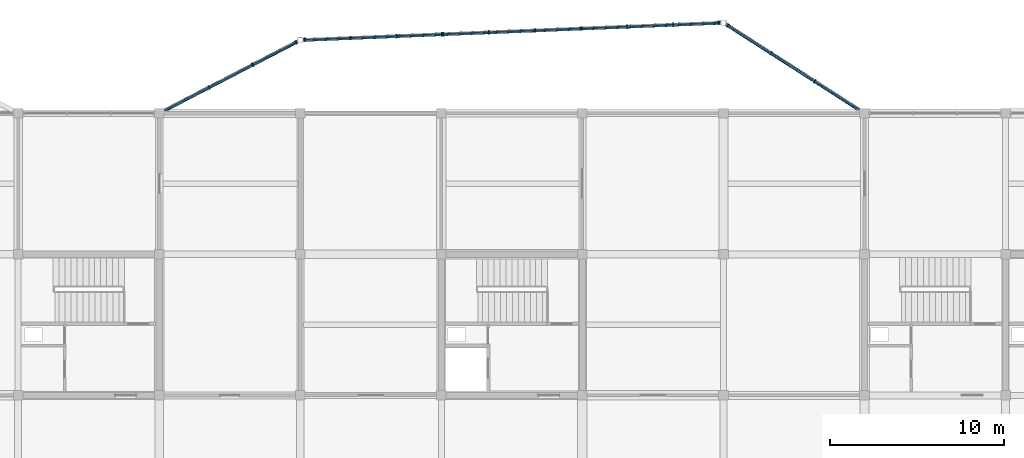
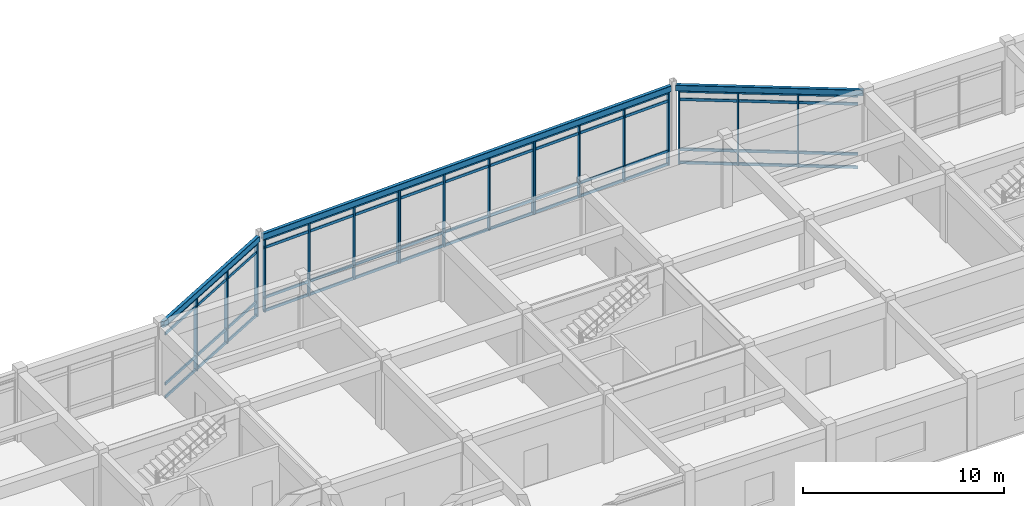
# One storey, part 21 of 42: 38 members, 3 beams, 5 elements without a shape of their own.
"""IFC4 building model written with IfcOpenShell, lengths in metres."""

from ifc_helpers import new_model, si_unit, direction, frame, origin, origin_2d, place, context, subcontext, project, spatial, rectangle, hollow_rectangle, extrude, material, layer, layer_set, material_profile, profile_set, type_object, element, aggregate, save


model = new_model("IFC4")

# Units and contexts
model_context = context("Model", 3, precision=1e-05, world=origin(), true_north=direction((0.0, 1.0)))
body_context = subcontext(model_context, "Body", "Model", "MODEL_VIEW")
ifc_project = project(units=[si_unit("LENGTHUNIT", "METRE"), si_unit("AREAUNIT", "SQUARE_METRE"), si_unit("VOLUMEUNIT", "CUBIC_METRE"), si_unit("PLANEANGLEUNIT", "RADIAN"), si_unit("MASSUNIT", "GRAM", prefix="KILO")], contexts=[model_context])

# Site, building, storey
site_placement = place(None, origin())
site = spatial("IfcSite", under=ifc_project, at=site_placement, CompositionType="ELEMENT")
building_placement = place(site_placement, origin())
building = spatial("IfcBuilding", under=site, at=building_placement, Name="Vaudrelin Polytechnic", CompositionType="ELEMENT")
storey_placement = place(building_placement, frame((0.0, 0.0, 18.530029296875)))
storey = spatial("IfcBuildingStorey", under=building, at=storey_placement, Name="L04", CompositionType="ELEMENT", Elevation=18.530029296875)

# Beams
ifc_material_1 = material(Name="Steel CSA G40.21 350WT", Category="steel")
ifc_material_profile_1 = material_profile(ifc_material_1, hollow_rectangle(XDim=0.202880859375, YDim=0.35595703125, WallThickness=0.0126953125, InnerFilletRadius=0.0126953125, OuterFilletRadius=0.025390625, at=origin_2d()), Name="HSS356x203x12.7")
ifc_profile_set_1 = profile_set([ifc_material_profile_1], Name="Steel CSA G40.21 350WT")
beam_type = type_object("IfcBeamType", Name="BM-SP-HSS35", PredefinedType="SPANDREL", material=ifc_profile_set_1)
beam_1_placement = place(storey_placement, frame((64.92431640625, 121.564453125, 3.98193359375), z_axis=(0.887754949257, 0.460316358682, 0.0), x_axis=(-0.460316358682, 0.887754949257, 0.0)))
element("IfcBeam", 1, at=beam_1_placement, inside=storey, type_object=beam_type, Name="Sculptural edge beam L04 N_OR2_B1", PredefinedType="SPANDREL", context=body_context, shape_type="SweptSolid", body=[
    extrude(hollow_rectangle(XDim=0.202880859375, YDim=0.35595703125, WallThickness=0.0126953125, InnerFilletRadius=0.0126953125, OuterFilletRadius=0.025390625, at=origin_2d()), origin(), (0.0, 0.0, 1.0), 8.843994140625),
])
beam_2_placement = place(storey_placement, frame((73.039794921875, 125.705810546875, 3.98193359375), z_axis=(0.99915467323, 0.0411088672, 0.0), x_axis=(-0.0411088672, 0.99915467323, 0.0)))
element("IfcBeam", 2, at=beam_2_placement, inside=storey, type_object=beam_type, Name="Sculptural edge beam L04 N_OR2_B2", PredefinedType="SPANDREL", context=body_context, shape_type="SweptSolid", body=[
    extrude(hollow_rectangle(XDim=0.202880859375, YDim=0.35595703125, WallThickness=0.0126953125, InnerFilletRadius=0.0126953125, OuterFilletRadius=0.025390625, at=origin_2d()), origin(), (0.0, 0.0, 1.0), 24.04052734375),
])
beam_3_placement = place(storey_placement, frame((97.31787109375, 126.62451171875, 3.98193359375), z_axis=(0.84150765207, -0.540245195729, 0.0), x_axis=(0.540245195729, 0.84150765207, 0.0)))
element("IfcBeam", 3, at=beam_3_placement, inside=storey, type_object=beam_type, Name="Sculptural edge beam L04 N_OR2_B3", PredefinedType="SPANDREL", context=body_context, shape_type="SweptSolid", body=[
    extrude(hollow_rectangle(XDim=0.202880859375, YDim=0.35595703125, WallThickness=0.0126953125, InnerFilletRadius=0.0126953125, OuterFilletRadius=0.025390625, at=origin_2d()), origin(), (0.0, 0.0, 1.0), 9.345458984375),
])

# Curtain wall, members
ifc_material_2 = material(Name="Thermally broken anodised aluminium AA 6063-T6 and low-e triple glazing", Category="aluminium")
ifc_layer = layer(ifc_material_2, 0.199951171875)
ifc_layer_set = layer_set([ifc_layer], Name="Thermally broken anodised aluminium AA 6063-T6 and low-e triple glazing")
curtain_wall_type = type_object("IfcCurtainWallType", Name="CW-CW-STU", PredefinedType="USERDEFINED", material=ifc_layer_set)
curtain_wall_1_placement = place(storey_placement, origin())
curtain_wall_1 = element("IfcCurtainWall", 4, at=curtain_wall_1_placement, inside=storey, type_object=curtain_wall_type, Name="Curtain wall L04 N_OR2_1_0", ObjectType="CURTAIN WALL", PredefinedType="USERDEFINED")
ifc_material_3 = material(Name="Anodised aluminium AA 6063-T6", Category="aluminium")
ifc_material_profile_2 = material_profile(ifc_material_3, rectangle(XDim=0.074951171875, YDim=0.219970703125, at=origin_2d()), Name="CWM-75x220")
ifc_profile_set_2 = profile_set([ifc_material_profile_2], Name="Anodised aluminium AA 6063-T6")
member_type_1 = type_object("IfcMemberType", Name="MEM-CWM-220", PredefinedType="MULLION", material=ifc_profile_set_2)
member_1_placement = place(storey_placement, frame((67.65771484375, 122.981689453125, -0.630126953125), z_axis=(0.0, 0.0, 1.0), x_axis=(0.887751494589, 0.460323021208, 0.0)))
member_1 = element("IfcMember", 5, at=member_1_placement, type_object=member_type_1, Name="N_OR2_1_0 mullion 2", PredefinedType="MULLION", context=body_context, shape_type="SweptSolid", body=[
    extrude(rectangle(XDim=0.074951171875, YDim=0.219970703125, at=origin_2d()), origin(), (0.0, 0.0, 1.0), 4.440185546875),
])
member_2_placement = place(storey_placement, frame((70.164794921875, 124.28173828125, -0.630126953125), z_axis=(0.0, 0.0, 1.0), x_axis=(0.887751494589, 0.460323021208, 0.0)))
member_2 = element("IfcMember", 6, at=member_2_placement, type_object=member_type_1, Name="N_OR2_1_0 mullion 3", PredefinedType="MULLION", context=body_context, shape_type="SweptSolid", body=[
    extrude(rectangle(XDim=0.074951171875, YDim=0.219970703125, at=origin_2d()), origin(), (0.0, 0.0, 1.0), 4.440185546875),
])
member_3_placement = place(storey_placement, frame((72.636474609375, 125.5634765625, -0.630126953125), z_axis=(0.0, 0.0, 1.0), x_axis=(0.887751494589, 0.460323021208, 0.0)))
member_3 = element("IfcMember", 7, at=member_3_placement, type_object=member_type_1, Name="N_OR2_1_0 mullion 4", PredefinedType="MULLION", context=body_context, shape_type="SweptSolid", body=[
    extrude(rectangle(XDim=0.074951171875, YDim=0.219970703125, at=origin_2d()), origin(), (0.0, 0.0, 1.0), 4.440185546875),
])

curtain_wall_2_placement = place(storey_placement, origin())
curtain_wall_2 = element("IfcCurtainWall", 8, at=curtain_wall_2_placement, inside=storey, type_object=curtain_wall_type, Name="Curtain wall L04 N_OR2_2_0", ObjectType="CURTAIN WALL", PredefinedType="USERDEFINED")
member_4_placement = place(storey_placement, frame((73.177490234375, 125.71142578125, -0.630126953125), z_axis=(0.0, 0.0, 1.0), x_axis=(0.999154417424, 0.041115084128, 0.0)))
member_4 = element("IfcMember", 9, at=member_4_placement, type_object=member_type_1, Name="N_OR2_2_0 mullion 1", PredefinedType="MULLION", context=body_context, shape_type="SweptSolid", body=[
    extrude(rectangle(XDim=0.074951171875, YDim=0.219970703125, at=origin_2d()), origin(), (0.0, 0.0, 1.0), 4.440185546875),
])
member_5_placement = place(storey_placement, frame((75.78466796875, 125.818603515625, -0.630126953125), z_axis=(0.0, 0.0, 1.0), x_axis=(0.999154417424, 0.041115084128, 0.0)))
member_5 = element("IfcMember", 10, at=member_5_placement, type_object=member_type_1, Name="N_OR2_2_0 mullion 2", PredefinedType="MULLION", context=body_context, shape_type="SweptSolid", body=[
    extrude(rectangle(XDim=0.074951171875, YDim=0.219970703125, at=origin_2d()), origin(), (0.0, 0.0, 1.0), 4.440185546875),
])
member_6_placement = place(storey_placement, frame((78.431884765625, 125.927734375, -0.630126953125), z_axis=(0.0, 0.0, 1.0), x_axis=(0.999154417424, 0.041115084128, 0.0)))
member_6 = element("IfcMember", 11, at=member_6_placement, type_object=member_type_1, Name="N_OR2_2_0 mullion 3", PredefinedType="MULLION", context=body_context, shape_type="SweptSolid", body=[
    extrude(rectangle(XDim=0.074951171875, YDim=0.219970703125, at=origin_2d()), origin(), (0.0, 0.0, 1.0), 4.440185546875),
])
member_7_placement = place(storey_placement, frame((81.0390625, 126.034912109375, -0.630126953125), z_axis=(0.0, 0.0, 1.0), x_axis=(0.999154417424, 0.041115084128, 0.0)))
member_7 = element("IfcMember", 12, at=member_7_placement, type_object=member_type_1, Name="N_OR2_2_0 mullion 4", PredefinedType="MULLION", context=body_context, shape_type="SweptSolid", body=[
    extrude(rectangle(XDim=0.074951171875, YDim=0.219970703125, at=origin_2d()), origin(), (0.0, 0.0, 1.0), 4.440185546875),
])

curtain_wall_3_placement = place(storey_placement, origin())
curtain_wall_3 = element("IfcCurtainWall", 13, at=curtain_wall_3_placement, inside=storey, type_object=curtain_wall_type, Name="Curtain wall L04 N_OR2_2_1", ObjectType="CURTAIN WALL", PredefinedType="USERDEFINED")
member_8_placement = place(storey_placement, frame((81.119140625, 126.0380859375, -0.630126953125), z_axis=(0.0, 0.0, 1.0), x_axis=(0.999154438691, 0.041114567302, 0.0)))
member_8 = element("IfcMember", 14, at=member_8_placement, type_object=member_type_1, Name="N_OR2_2_1 mullion 1", PredefinedType="MULLION", context=body_context, shape_type="SweptSolid", body=[
    extrude(rectangle(XDim=0.074951171875, YDim=0.219970703125, at=origin_2d()), origin(), (0.0, 0.0, 1.0), 4.440185546875),
])
member_9_placement = place(storey_placement, frame((83.726318359375, 126.1455078125, -0.630126953125), z_axis=(0.0, 0.0, 1.0), x_axis=(0.999154438691, 0.041114567302, 0.0)))
member_9 = element("IfcMember", 15, at=member_9_placement, type_object=member_type_1, Name="N_OR2_2_1 mullion 2", PredefinedType="MULLION", context=body_context, shape_type="SweptSolid", body=[
    extrude(rectangle(XDim=0.074951171875, YDim=0.219970703125, at=origin_2d()), origin(), (0.0, 0.0, 1.0), 4.440185546875),
])
member_10_placement = place(storey_placement, frame((86.37353515625, 126.25439453125, -0.630126953125), z_axis=(0.0, 0.0, 1.0), x_axis=(0.999154438691, 0.041114567302, 0.0)))
member_10 = element("IfcMember", 16, at=member_10_placement, type_object=member_type_1, Name="N_OR2_2_1 mullion 3", PredefinedType="MULLION", context=body_context, shape_type="SweptSolid", body=[
    extrude(rectangle(XDim=0.074951171875, YDim=0.219970703125, at=origin_2d()), origin(), (0.0, 0.0, 1.0), 4.440185546875),
])
member_11_placement = place(storey_placement, frame((88.98095703125, 126.36181640625, -0.630126953125), z_axis=(0.0, 0.0, 1.0), x_axis=(0.999154438691, 0.041114567302, 0.0)))
member_11 = element("IfcMember", 17, at=member_11_placement, type_object=member_type_1, Name="N_OR2_2_1 mullion 4", PredefinedType="MULLION", context=body_context, shape_type="SweptSolid", body=[
    extrude(rectangle(XDim=0.074951171875, YDim=0.219970703125, at=origin_2d()), origin(), (0.0, 0.0, 1.0), 4.440185546875),
])

curtain_wall_4_placement = place(storey_placement, origin())
curtain_wall_4 = element("IfcCurtainWall", 18, at=curtain_wall_4_placement, inside=storey, type_object=curtain_wall_type, Name="Curtain wall L04 N_OR2_2_2", ObjectType="CURTAIN WALL", PredefinedType="USERDEFINED")
member_12_placement = place(storey_placement, frame((89.060791015625, 126.364990234375, -0.630126953125), z_axis=(0.0, 0.0, 1.0), x_axis=(0.999154417424, 0.041115084128, 0.0)))
member_12 = element("IfcMember", 19, at=member_12_placement, type_object=member_type_1, Name="N_OR2_2_2 mullion 1", PredefinedType="MULLION", context=body_context, shape_type="SweptSolid", body=[
    extrude(rectangle(XDim=0.074951171875, YDim=0.219970703125, at=origin_2d()), origin(), (0.0, 0.0, 1.0), 4.440185546875),
])
member_13_placement = place(storey_placement, frame((91.668212890625, 126.472412109375, -0.630126953125), z_axis=(0.0, 0.0, 1.0), x_axis=(0.999154417424, 0.041115084128, 0.0)))
member_13 = element("IfcMember", 20, at=member_13_placement, type_object=member_type_1, Name="N_OR2_2_2 mullion 2", PredefinedType="MULLION", context=body_context, shape_type="SweptSolid", body=[
    extrude(rectangle(XDim=0.074951171875, YDim=0.219970703125, at=origin_2d()), origin(), (0.0, 0.0, 1.0), 4.440185546875),
])
member_14_placement = place(storey_placement, frame((94.3154296875, 126.581298828125, -0.630126953125), z_axis=(0.0, 0.0, 1.0), x_axis=(0.999154417424, 0.041115084128, 0.0)))
member_14 = element("IfcMember", 21, at=member_14_placement, type_object=member_type_1, Name="N_OR2_2_2 mullion 3", PredefinedType="MULLION", context=body_context, shape_type="SweptSolid", body=[
    extrude(rectangle(XDim=0.074951171875, YDim=0.219970703125, at=origin_2d()), origin(), (0.0, 0.0, 1.0), 4.440185546875),
])
member_15_placement = place(storey_placement, frame((96.922607421875, 126.688720703125, -0.630126953125), z_axis=(0.0, 0.0, 1.0), x_axis=(0.999154417424, 0.041115084128, 0.0)))
member_15 = element("IfcMember", 22, at=member_15_placement, type_object=member_type_1, Name="N_OR2_2_2 mullion 4", PredefinedType="MULLION", context=body_context, shape_type="SweptSolid", body=[
    extrude(rectangle(XDim=0.074951171875, YDim=0.219970703125, at=origin_2d()), origin(), (0.0, 0.0, 1.0), 4.440185546875),
])

curtain_wall_5_placement = place(storey_placement, origin())
curtain_wall_5 = element("IfcCurtainWall", 23, at=curtain_wall_5_placement, inside=storey, type_object=curtain_wall_type, Name="Curtain wall L04 N_OR2_3_0", ObjectType="CURTAIN WALL", PredefinedType="USERDEFINED")
member_16_placement = place(storey_placement, frame((97.457763671875, 126.53466796875, -0.630126953125), z_axis=(0.0, 0.0, 1.0), x_axis=(0.841518560242, -0.540228204344, 0.0)))
member_16 = element("IfcMember", 24, at=member_16_placement, type_object=member_type_1, Name="N_OR2_3_0 mullion 1", PredefinedType="MULLION", context=body_context, shape_type="SweptSolid", body=[
    extrude(rectangle(XDim=0.074951171875, YDim=0.219970703125, at=origin_2d()), origin(), (0.0, 0.0, 1.0), 4.440185546875),
])
member_17_placement = place(storey_placement, frame((99.933837890625, 124.945068359375, -0.630126953125), z_axis=(0.0, 0.0, 1.0), x_axis=(0.841518560242, -0.540228204344, 0.0)))
member_17 = element("IfcMember", 25, at=member_17_placement, type_object=member_type_1, Name="N_OR2_3_0 mullion 2", PredefinedType="MULLION", context=body_context, shape_type="SweptSolid", body=[
    extrude(rectangle(XDim=0.074951171875, YDim=0.219970703125, at=origin_2d()), origin(), (0.0, 0.0, 1.0), 4.440185546875),
])
member_18_placement = place(storey_placement, frame((102.443603515625, 123.333740234375, -0.630126953125), z_axis=(0.0, 0.0, 1.0), x_axis=(0.841518560242, -0.540228204344, 0.0)))
member_18 = element("IfcMember", 26, at=member_18_placement, type_object=member_type_1, Name="N_OR2_3_0 mullion 3", PredefinedType="MULLION", context=body_context, shape_type="SweptSolid", body=[
    extrude(rectangle(XDim=0.074951171875, YDim=0.219970703125, at=origin_2d()), origin(), (0.0, 0.0, 1.0), 4.440185546875),
])

# Member
ifc_material_profile_3 = material_profile(ifc_material_3, rectangle(XDim=0.074951171875, YDim=0.1650390625, at=origin_2d()), Name="CWT-75x165")
ifc_profile_set_3 = profile_set([ifc_material_profile_3], Name="Anodised aluminium AA 6063-T6")
member_type_2 = type_object("IfcMemberType", Name="MEM-CWT-165", PredefinedType="USERDEFINED", material=ifc_profile_set_3)
member_19_placement = place(storey_placement, frame((65.150390625, 121.681640625, -0.580078125), z_axis=(0.887754967564, 0.460316323374, 0.0), x_axis=(-0.460316323374, 0.887754967564, 0.0)))
member_19 = element("IfcMember", 27, at=member_19_placement, type_object=member_type_2, Name="N_OR2_1_0 transom 1", ObjectType="TRANSOM", PredefinedType="USERDEFINED", context=body_context, shape_type="SweptSolid", body=[
    extrude(rectangle(XDim=0.074951171875, YDim=0.1650390625, at=origin_2d()), origin(), (0.0, 0.0, 1.0), 8.47265625),
])

member_20_placement = place(storey_placement, frame((65.150390625, 121.681640625, 0.219970703125), z_axis=(0.887754967564, 0.460316323374, 0.0), x_axis=(-0.460316323374, 0.887754967564, 0.0)))
member_20 = element("IfcMember", 28, at=member_20_placement, type_object=member_type_2, Name="N_OR2_1_0 transom 2", ObjectType="TRANSOM", PredefinedType="USERDEFINED", context=body_context, shape_type="SweptSolid", body=[
    extrude(rectangle(XDim=0.074951171875, YDim=0.1650390625, at=origin_2d()), origin(), (0.0, 0.0, 1.0), 8.47265625),
])

member_21_placement = place(storey_placement, frame((65.150390625, 121.681640625, 3.260009765625), z_axis=(0.887754967564, 0.460316323374, 0.0), x_axis=(-0.460316323374, 0.887754967564, 0.0)))
member_21 = element("IfcMember", 29, at=member_21_placement, type_object=member_type_2, Name="N_OR2_1_0 transom 3", ObjectType="TRANSOM", PredefinedType="USERDEFINED", context=body_context, shape_type="SweptSolid", body=[
    extrude(rectangle(XDim=0.074951171875, YDim=0.1650390625, at=origin_2d()), origin(), (0.0, 0.0, 1.0), 8.47265625),
])

member_22_placement = place(storey_placement, frame((65.150390625, 121.681640625, 3.760009765625), z_axis=(0.887754967564, 0.460316323374, 0.0), x_axis=(-0.460316323374, 0.887754967564, 0.0)))
member_22 = element("IfcMember", 30, at=member_22_placement, type_object=member_type_2, Name="N_OR2_1_0 transom 4", ObjectType="TRANSOM", PredefinedType="USERDEFINED", context=body_context, shape_type="SweptSolid", body=[
    extrude(rectangle(XDim=0.074951171875, YDim=0.1650390625, at=origin_2d()), origin(), (0.0, 0.0, 1.0), 8.47265625),
])

aggregate(curtain_wall_1, [member_1, member_2, member_3, member_19, member_20, member_21, member_22])

member_23_placement = place(storey_placement, frame((73.137451171875, 125.709716796875, -0.580078125), z_axis=(0.999153867736, 0.041128440127, 0.0), x_axis=(-0.041128440127, 0.999153867736, 0.0)))
member_23 = element("IfcMember", 31, at=member_23_placement, type_object=member_type_2, Name="N_OR2_2_0 transom 1", ObjectType="TRANSOM", PredefinedType="USERDEFINED", context=body_context, shape_type="SweptSolid", body=[
    extrude(rectangle(XDim=0.074951171875, YDim=0.1650390625, at=origin_2d()), origin(), (0.0, 0.0, 1.0), 7.948486328125),
])

member_24_placement = place(storey_placement, frame((73.137451171875, 125.709716796875, 0.219970703125), z_axis=(0.999153867736, 0.041128440127, 0.0), x_axis=(-0.041128440127, 0.999153867736, 0.0)))
member_24 = element("IfcMember", 32, at=member_24_placement, type_object=member_type_2, Name="N_OR2_2_0 transom 2", ObjectType="TRANSOM", PredefinedType="USERDEFINED", context=body_context, shape_type="SweptSolid", body=[
    extrude(rectangle(XDim=0.074951171875, YDim=0.1650390625, at=origin_2d()), origin(), (0.0, 0.0, 1.0), 7.948486328125),
])

member_25_placement = place(storey_placement, frame((73.137451171875, 125.709716796875, 3.260009765625), z_axis=(0.999153867736, 0.041128440127, 0.0), x_axis=(-0.041128440127, 0.999153867736, 0.0)))
member_25 = element("IfcMember", 33, at=member_25_placement, type_object=member_type_2, Name="N_OR2_2_0 transom 3", ObjectType="TRANSOM", PredefinedType="USERDEFINED", context=body_context, shape_type="SweptSolid", body=[
    extrude(rectangle(XDim=0.074951171875, YDim=0.1650390625, at=origin_2d()), origin(), (0.0, 0.0, 1.0), 7.948486328125),
])

member_26_placement = place(storey_placement, frame((73.137451171875, 125.709716796875, 3.760009765625), z_axis=(0.999153867736, 0.041128440127, 0.0), x_axis=(-0.041128440127, 0.999153867736, 0.0)))
member_26 = element("IfcMember", 34, at=member_26_placement, type_object=member_type_2, Name="N_OR2_2_0 transom 4", ObjectType="TRANSOM", PredefinedType="USERDEFINED", context=body_context, shape_type="SweptSolid", body=[
    extrude(rectangle(XDim=0.074951171875, YDim=0.1650390625, at=origin_2d()), origin(), (0.0, 0.0, 1.0), 7.948486328125),
])

aggregate(curtain_wall_2, [member_4, member_5, member_6, member_7, member_23, member_24, member_25, member_26])

member_27_placement = place(storey_placement, frame((81.0791015625, 126.03662109375, -0.580078125), z_axis=(0.999155181369, 0.041096514991, 0.0), x_axis=(-0.041096514991, 0.999155181369, 0.0)))
member_27 = element("IfcMember", 35, at=member_27_placement, type_object=member_type_2, Name="N_OR2_2_1 transom 1", ObjectType="TRANSOM", PredefinedType="USERDEFINED", context=body_context, shape_type="SweptSolid", body=[
    extrude(rectangle(XDim=0.074951171875, YDim=0.1650390625, at=origin_2d()), origin(), (0.0, 0.0, 1.0), 7.94873046875),
])

member_28_placement = place(storey_placement, frame((81.0791015625, 126.03662109375, 0.219970703125), z_axis=(0.999155181369, 0.041096514991, 0.0), x_axis=(-0.041096514991, 0.999155181369, 0.0)))
member_28 = element("IfcMember", 36, at=member_28_placement, type_object=member_type_2, Name="N_OR2_2_1 transom 2", ObjectType="TRANSOM", PredefinedType="USERDEFINED", context=body_context, shape_type="SweptSolid", body=[
    extrude(rectangle(XDim=0.074951171875, YDim=0.1650390625, at=origin_2d()), origin(), (0.0, 0.0, 1.0), 7.94873046875),
])

member_29_placement = place(storey_placement, frame((81.0791015625, 126.03662109375, 3.260009765625), z_axis=(0.999155181369, 0.041096514991, 0.0), x_axis=(-0.041096514991, 0.999155181369, 0.0)))
member_29 = element("IfcMember", 37, at=member_29_placement, type_object=member_type_2, Name="N_OR2_2_1 transom 3", ObjectType="TRANSOM", PredefinedType="USERDEFINED", context=body_context, shape_type="SweptSolid", body=[
    extrude(rectangle(XDim=0.074951171875, YDim=0.1650390625, at=origin_2d()), origin(), (0.0, 0.0, 1.0), 7.94873046875),
])

member_30_placement = place(storey_placement, frame((81.0791015625, 126.03662109375, 3.760009765625), z_axis=(0.999155181369, 0.041096514991, 0.0), x_axis=(-0.041096514991, 0.999155181369, 0.0)))
member_30 = element("IfcMember", 38, at=member_30_placement, type_object=member_type_2, Name="N_OR2_2_1 transom 4", ObjectType="TRANSOM", PredefinedType="USERDEFINED", context=body_context, shape_type="SweptSolid", body=[
    extrude(rectangle(XDim=0.074951171875, YDim=0.1650390625, at=origin_2d()), origin(), (0.0, 0.0, 1.0), 7.94873046875),
])

aggregate(curtain_wall_3, [member_8, member_9, member_10, member_11, member_27, member_28, member_29, member_30])

member_31_placement = place(storey_placement, frame((89.02099609375, 126.36328125, -0.580078125), z_axis=(0.999153867736, 0.041128440127, 0.0), x_axis=(-0.041128440127, 0.999153867736, 0.0)))
member_31 = element("IfcMember", 39, at=member_31_placement, type_object=member_type_2, Name="N_OR2_2_2 transom 1", ObjectType="TRANSOM", PredefinedType="USERDEFINED", context=body_context, shape_type="SweptSolid", body=[
    extrude(rectangle(XDim=0.074951171875, YDim=0.1650390625, at=origin_2d()), origin(), (0.0, 0.0, 1.0), 7.948486328125),
])

member_32_placement = place(storey_placement, frame((89.02099609375, 126.36328125, 0.219970703125), z_axis=(0.999153867736, 0.041128440127, 0.0), x_axis=(-0.041128440127, 0.999153867736, 0.0)))
member_32 = element("IfcMember", 40, at=member_32_placement, type_object=member_type_2, Name="N_OR2_2_2 transom 2", ObjectType="TRANSOM", PredefinedType="USERDEFINED", context=body_context, shape_type="SweptSolid", body=[
    extrude(rectangle(XDim=0.074951171875, YDim=0.1650390625, at=origin_2d()), origin(), (0.0, 0.0, 1.0), 7.948486328125),
])

member_33_placement = place(storey_placement, frame((89.02099609375, 126.36328125, 3.260009765625), z_axis=(0.999153867736, 0.041128440127, 0.0), x_axis=(-0.041128440127, 0.999153867736, 0.0)))
member_33 = element("IfcMember", 41, at=member_33_placement, type_object=member_type_2, Name="N_OR2_2_2 transom 3", ObjectType="TRANSOM", PredefinedType="USERDEFINED", context=body_context, shape_type="SweptSolid", body=[
    extrude(rectangle(XDim=0.074951171875, YDim=0.1650390625, at=origin_2d()), origin(), (0.0, 0.0, 1.0), 7.948486328125),
])

member_34_placement = place(storey_placement, frame((89.02099609375, 126.36328125, 3.760009765625), z_axis=(0.999153867736, 0.041128440127, 0.0), x_axis=(-0.041128440127, 0.999153867736, 0.0)))
member_34 = element("IfcMember", 42, at=member_34_placement, type_object=member_type_2, Name="N_OR2_2_2 transom 4", ObjectType="TRANSOM", PredefinedType="USERDEFINED", context=body_context, shape_type="SweptSolid", body=[
    extrude(rectangle(XDim=0.074951171875, YDim=0.1650390625, at=origin_2d()), origin(), (0.0, 0.0, 1.0), 7.948486328125),
])

aggregate(curtain_wall_4, [member_12, member_13, member_14, member_15, member_31, member_32, member_33, member_34])

member_35_placement = place(storey_placement, frame((97.424072265625, 126.55615234375, -0.580078125), z_axis=(0.841517853817, -0.540229304747, 0.0), x_axis=(0.540229304747, 0.841517853817, 0.0)))
member_35 = element("IfcMember", 43, at=member_35_placement, type_object=member_type_2, Name="N_OR2_3_0 transom 1", ObjectType="TRANSOM", PredefinedType="USERDEFINED", context=body_context, shape_type="SweptSolid", body=[
    extrude(rectangle(XDim=0.074951171875, YDim=0.1650390625, at=origin_2d()), origin(), (0.0, 0.0, 1.0), 8.947509765625),
])

member_36_placement = place(storey_placement, frame((97.424072265625, 126.55615234375, 0.219970703125), z_axis=(0.841517853817, -0.540229304747, 0.0), x_axis=(0.540229304747, 0.841517853817, 0.0)))
member_36 = element("IfcMember", 44, at=member_36_placement, type_object=member_type_2, Name="N_OR2_3_0 transom 2", ObjectType="TRANSOM", PredefinedType="USERDEFINED", context=body_context, shape_type="SweptSolid", body=[
    extrude(rectangle(XDim=0.074951171875, YDim=0.1650390625, at=origin_2d()), origin(), (0.0, 0.0, 1.0), 8.947509765625),
])

member_37_placement = place(storey_placement, frame((97.424072265625, 126.55615234375, 3.260009765625), z_axis=(0.841517853817, -0.540229304747, 0.0), x_axis=(0.540229304747, 0.841517853817, 0.0)))
member_37 = element("IfcMember", 45, at=member_37_placement, type_object=member_type_2, Name="N_OR2_3_0 transom 3", ObjectType="TRANSOM", PredefinedType="USERDEFINED", context=body_context, shape_type="SweptSolid", body=[
    extrude(rectangle(XDim=0.074951171875, YDim=0.1650390625, at=origin_2d()), origin(), (0.0, 0.0, 1.0), 8.947509765625),
])

member_38_placement = place(storey_placement, frame((97.424072265625, 126.55615234375, 3.760009765625), z_axis=(0.841517853817, -0.540229304747, 0.0), x_axis=(0.540229304747, 0.841517853817, 0.0)))
member_38 = element("IfcMember", 46, at=member_38_placement, type_object=member_type_2, Name="N_OR2_3_0 transom 4", ObjectType="TRANSOM", PredefinedType="USERDEFINED", context=body_context, shape_type="SweptSolid", body=[
    extrude(rectangle(XDim=0.074951171875, YDim=0.1650390625, at=origin_2d()), origin(), (0.0, 0.0, 1.0), 8.947509765625),
])

aggregate(curtain_wall_5, [member_16, member_17, member_18, member_35, member_36, member_37, member_38])

save(model, "model.ifc")
